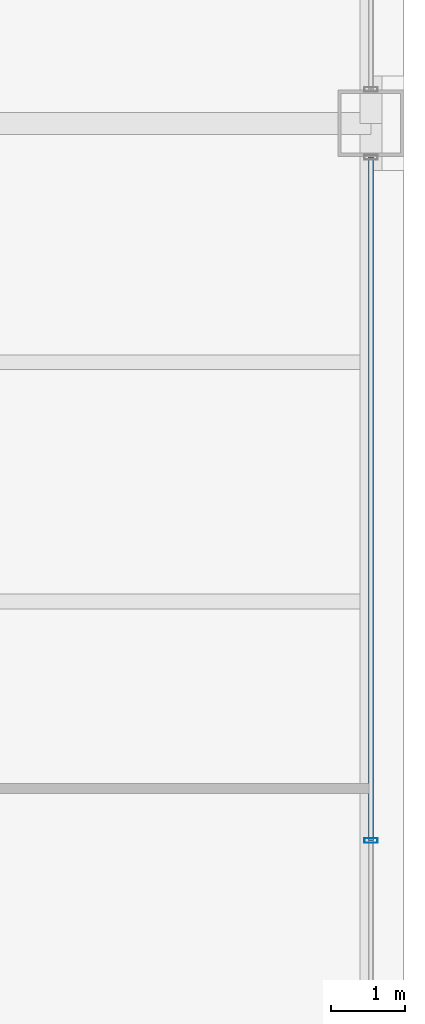
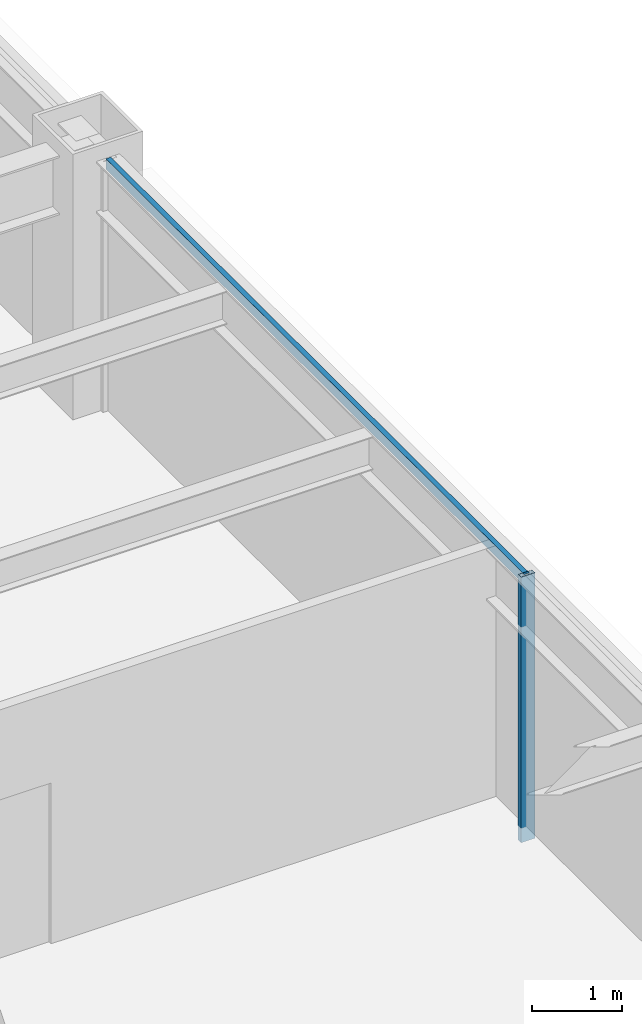
# One storey, part 14 of 29: 2 members, 1 element without a shape of its own.
"""IFC4 building model written with IfcOpenShell, lengths in metres."""

import ifcopenshell
import ifcopenshell.guid

model = None  # the IFC model being written
_history = None  # IfcOwnerHistory: only IFC2X3 demands one
_inside = {}  # id of a spatial element -> (the spatial element, [elements in it])
_under = {}  # id of a project, library or spatial element -> (it, [spatial elements below it])
_declared = {}  # id of a project -> (the project, [libraries it declares])
_typed = {}  # id of a type object -> (the type object, [elements of that type])
_made_of = {}  # id of a material, layer set ... -> (it, [elements and type objects made of it])


def new_model(schema):
    """Start an empty IFC model of exactly this schema.

    Asked for "IFC4X3", IfcOpenShell would pick the latest addendum, in which some entities
    have other attributes; the version numbers below select the first issue.
    IFC2X3 requires an IfcOwnerHistory on every rooted entity: one is made here for all.
    """
    global model, _history
    if schema == "IFC4X3":
        model = ifcopenshell.file(schema_version=(4, 3, 0, 0))
    else:
        model = ifcopenshell.file(schema=schema)
    _inside.clear()
    _under.clear()
    _declared.clear()
    _typed.clear()
    _made_of.clear()
    _history = None
    if model.schema == "IFC2X3":
        org = make("IfcOrganization", Name="unknown")
        user = make(
            "IfcPersonAndOrganization",
            ThePerson=make("IfcPerson", FamilyName="unknown"),
            TheOrganization=org,
        )
        app = make(
            "IfcApplication",
            ApplicationDeveloper=org,
            Version="unknown",
            ApplicationFullName="unknown",
            ApplicationIdentifier="unknown",
        )
        _history = make(
            "IfcOwnerHistory",
            OwningUser=user,
            OwningApplication=app,
            ChangeAction="ADDED",
            CreationDate=0,
        )
    return model


def make(cls, **values):
    """One entity of the class cls with the attributes given. An attribute that is None is left unset."""
    return model.create_entity(
        cls, **{name: value for name, value in values.items() if value is not None}
    )


def rooted(cls, **values):
    """An entity with a GlobalId (a new one), such as an element, a storey or a relation."""
    return make(cls, GlobalId=ifcopenshell.guid.new(), OwnerHistory=_history, **values)


def si_unit(unit_type, name, prefix=None):
    """IfcSIUnit, for example si_unit("LENGTHUNIT", "METRE", prefix="MILLI")."""
    return make("IfcSIUnit", UnitType=unit_type, Prefix=prefix, Name=name)


def assignment(units):
    """IfcUnitAssignment: the units of a project."""
    return None if units is None else make("IfcUnitAssignment", Units=units)


def point(xyz):
    """IfcCartesianPoint."""
    return None if xyz is None else make("IfcCartesianPoint", Coordinates=xyz)


def direction(xyz):
    """IfcDirection."""
    return None if xyz is None else make("IfcDirection", DirectionRatios=xyz)


def frame(location, z_axis=None, x_axis=None):
    """IfcAxis2Placement3D, a coordinate frame: its origin and axes. An axis left out is left unset."""
    return make(
        "IfcAxis2Placement3D",
        Location=point(location),
        Axis=direction(z_axis),
        RefDirection=direction(x_axis),
    )


def frame_2d(location, x_axis=None):
    """IfcAxis2Placement2D, a coordinate frame in the plane: its origin and x axis."""
    return make(
        "IfcAxis2Placement2D", Location=point(location), RefDirection=direction(x_axis)
    )


def origin():
    """The frame at (0, 0, 0) with its axes left unset."""
    return frame((0.0, 0.0, 0.0))


def origin_2d():
    """The frame at (0, 0) in the plane with its x axis left unset."""
    return frame_2d((0.0, 0.0))


def place(relative_to, where):
    """IfcLocalPlacement: puts the frame where relative to a parent placement (None: the world)."""
    return make(
        "IfcLocalPlacement", PlacementRelTo=relative_to, RelativePlacement=where
    )


def context(
    kind, dimensions, precision=None, world=None, true_north=None, identifier=None
):
    """IfcGeometricRepresentationContext, for example the 3D "Model" context."""
    return make(
        "IfcGeometricRepresentationContext",
        ContextIdentifier=identifier,
        ContextType=kind,
        CoordinateSpaceDimension=dimensions,
        Precision=precision,
        WorldCoordinateSystem=world,
        TrueNorth=true_north,
    )


def subcontext(parent, identifier, kind, view, scale=None):
    """IfcGeometricRepresentationSubContext, for example "Body" below "Model"."""
    return make(
        "IfcGeometricRepresentationSubContext",
        ContextIdentifier=identifier,
        ContextType=kind,
        ParentContext=parent,
        TargetScale=scale,
        TargetView=view,
    )


def project(units=None, contexts=None):
    """IfcProject with its units and contexts."""
    return rooted(
        "IfcProject",
        Name="project",
        RepresentationContexts=contexts,
        UnitsInContext=assignment(units),
    )


def spatial(cls, under=None, at=None, **own):
    """A site, building, storey or space (cls), placed at a placement, below another one or the project."""
    s = rooted(cls, ObjectPlacement=at, **own)
    if under is not None:
        _under.setdefault(under.id(), (under, []))[1].append(s)
    return s


def profile(cls, at=None, kind="AREA", **sizes):
    """A parametric profile (cls). Its sizes go by their IFC names, for example OverallWidth=200.0."""
    return make(cls, ProfileType=kind, Position=at, **sizes)


def hollow_rectangle(**sizes):
    """IfcRectangleHollowProfileDef."""
    return profile("IfcRectangleHollowProfileDef", **sizes)


def extrude(swept, where, along, depth):
    """IfcExtrudedAreaSolid: the profile swept, set in the frame where, extruded along a direction by depth."""
    return make(
        "IfcExtrudedAreaSolid",
        SweptArea=swept,
        Position=where,
        ExtrudedDirection=direction(along),
        Depth=depth,
    )


def shape(context_of_items, identifier, shape_type, items):
    """IfcShapeRepresentation: the items that make up one representation, for example the "Body"."""
    return make(
        "IfcShapeRepresentation",
        ContextOfItems=context_of_items,
        RepresentationIdentifier=identifier,
        RepresentationType=shape_type,
        Items=items,
    )


def material(Name=None, Category=None):
    """IfcMaterial."""
    return make("IfcMaterial", Name=Name, Category=Category)


def layer(
    of_material, thickness, ventilated=None, Name=None, Category=None, Priority=None
):
    """IfcMaterialLayer: one layer of a wall or slab, of a material (None: an air gap)."""
    return make(
        "IfcMaterialLayer",
        Material=of_material,
        LayerThickness=thickness,
        IsVentilated=ventilated,
        Name=Name,
        Category=Category,
        Priority=Priority,
    )


def layer_set(layers, Name=None):
    """IfcMaterialLayerSet."""
    return make("IfcMaterialLayerSet", MaterialLayers=layers, LayerSetName=Name)


def material_profile(
    of_material, cross_section, Name=None, Category=None, Priority=None
):
    """IfcMaterialProfile: a cross section and its material."""
    return make(
        "IfcMaterialProfile",
        Name=Name,
        Material=of_material,
        Profile=cross_section,
        Priority=Priority,
        Category=Category,
    )


def profile_set(profiles, Name=None, composite=None):
    """IfcMaterialProfileSet."""
    return make(
        "IfcMaterialProfileSet",
        Name=Name,
        MaterialProfiles=profiles,
        CompositeProfile=composite,
    )


def made_of(thing, what):
    """Note that an element or type object is made of a material, layer set ...; save() writes the relation."""
    if what is not None:
        _made_of.setdefault(what.id(), (what, []))[1].append(thing)
    return thing


def type_object(cls, material=None, **own):
    """A type object (cls), such as IfcWallType, which elements share."""
    return made_of(rooted(cls, **own), material)


def element(
    cls,
    number,
    at=None,
    inside=None,
    cuts=None,
    type_object=None,
    material=None,
    context=None,
    identifier="Body",
    shape_type=None,
    held_by="IfcProductDefinitionShape",
    body=None,
    shapes=None,
    **own,
):
    """One element of the class cls, such as IfcWall. Its Tag is "e" and its number.

    at: its placement. inside: the storey or other place that contains it. cuts: it is an
    opening in that element (IfcRelVoidsElement). A single representation is given by context,
    identifier, shape_type and body (its items); several are given by shapes. held_by: the class
    of the entity that holds the representations. save() writes the other relations.
    """
    e = rooted(cls, Tag="e%d" % number, ObjectPlacement=at, **own)
    if body is not None:
        shapes = [shape(context, identifier, shape_type, body)]
    if shapes is not None:
        e.Representation = make(held_by, Representations=shapes)
    if inside is not None:
        _inside.setdefault(inside.id(), (inside, []))[1].append(e)
    if cuts is not None:
        rooted(
            "IfcRelVoidsElement", RelatingBuildingElement=cuts, RelatedOpeningElement=e
        )
    if type_object is not None:
        _typed.setdefault(type_object.id(), (type_object, []))[1].append(e)
    return made_of(e, material)


def aggregate(whole, parts):
    """IfcRelAggregates: a whole, such as a stair, and the parts it consists of."""
    return rooted("IfcRelAggregates", RelatingObject=whole, RelatedObjects=parts)


def save(model, path):
    """Write the relations noted so far, then the file.

    IfcRelAggregates (storeys below a building ...), IfcRelContainedInSpatialStructure (elements
    in a storey), IfcRelDefinesByType, IfcRelAssociatesMaterial and IfcRelDeclares: one each for
    every whole, place, type object, material and project.
    """
    for whole, parts in _under.values():
        aggregate(whole, parts)
    for where, things in _inside.values():
        rooted(
            "IfcRelContainedInSpatialStructure",
            RelatedElements=things,
            RelatingStructure=where,
        )
    for kind, things in _typed.values():
        rooted("IfcRelDefinesByType", RelatedObjects=things, RelatingType=kind)
    for what, things in _made_of.values():
        rooted("IfcRelAssociatesMaterial", RelatedObjects=things, RelatingMaterial=what)
    for by, libraries in _declared.values():
        rooted("IfcRelDeclares", RelatingContext=by, RelatedDefinitions=libraries)
    model.write(path)


model = new_model("IFC4")

# Units and contexts
model_context = context("Model", 3, precision=1e-05, world=origin(), true_north=direction((0.0, 1.0)))
body_context = subcontext(model_context, "Body", "Model", "MODEL_VIEW")
ifc_project = project(units=[si_unit("LENGTHUNIT", "METRE"), si_unit("AREAUNIT", "SQUARE_METRE"), si_unit("VOLUMEUNIT", "CUBIC_METRE"), si_unit("PLANEANGLEUNIT", "RADIAN"), si_unit("MASSUNIT", "GRAM", prefix="KILO")], contexts=[model_context])

# Site, building, storey
site_placement = place(None, origin())
site = spatial("IfcSite", under=ifc_project, at=site_placement, CompositionType="ELEMENT")
building_placement = place(site_placement, origin())
building = spatial("IfcBuilding", under=site, at=building_placement, Name="Brelmoor Portico Tower", CompositionType="ELEMENT")
storey_placement = place(building_placement, frame((0.0, 0.0, 60.0)))
storey = spatial("IfcBuildingStorey", under=building, at=storey_placement, Name="L15", CompositionType="ELEMENT", Elevation=60.0)

# Curtain wall, members
ifc_material = material(Name="Anodised Aluminium Alloy 6063-T6", Category="aluminium")
ifc_layer = layer(ifc_material, 0.179931640625)
ifc_layer_set = layer_set([ifc_layer], Name="Anodised Aluminium Alloy 6063-T6")
curtain_wall_type = type_object("IfcCurtainWallType", Name="CW-TOWER-Z1-XB", PredefinedType="NOTDEFINED", material=ifc_layer_set)
curtain_wall_placement = place(storey_placement, origin())
curtain_wall = element("IfcCurtainWall", 1, at=curtain_wall_placement, inside=storey, type_object=curtain_wall_type, Name="L15 Curtain Wall CW-L15-04-2", PredefinedType="NOTDEFINED")
ifc_material_profile_1 = material_profile(ifc_material, hollow_rectangle(XDim=0.06494140625, YDim=0.179931640625, WallThickness=0.00390625, at=origin_2d()), Name="ALU MULLION 65x180")
ifc_profile_set_1 = profile_set([ifc_material_profile_1], Name="Anodised Aluminium Alloy 6063-T6")
member_type_1 = type_object("IfcMemberType", Name="MB-CW-MULL-180", PredefinedType="MULLION", material=ifc_profile_set_1)
member_1_placement = place(storey_placement, frame((24.550048828125, 0.0, -0.199951171875), z_axis=(0.0, 0.0, 1.0), x_axis=(0.0, 1.0, 0.0)))
member_1 = element("IfcMember", 2, at=member_1_placement, type_object=member_type_1, Name="CW-L15-04-2 Mullion 01", PredefinedType="MULLION", context=body_context, shape_type="SweptSolid", body=[
    extrude(hollow_rectangle(XDim=0.06494140625, YDim=0.179931640625, WallThickness=0.00390625, at=origin_2d()), origin(), (0.0, 0.0, 1.0), 3.599853515625),
])
ifc_material_profile_2 = material_profile(ifc_material, hollow_rectangle(XDim=0.06494140625, YDim=0.139892578125, WallThickness=0.00390625, at=origin_2d()), Name="ALU TRANSOM 65x140")
ifc_profile_set_2 = profile_set([ifc_material_profile_2], Name="Anodised Aluminium Alloy 6063-T6")
member_type_2 = type_object("IfcMemberType", Name="MB-CW-TRAN-140", PredefinedType="USERDEFINED", material=ifc_profile_set_2)
member_2_placement = place(storey_placement, frame((24.550048828125, 0.0, 3.330078125), z_axis=(0.0, 1.0, 0.0), x_axis=(-1.0, 0.0, 0.0)))
member_2 = element("IfcMember", 3, at=member_2_placement, type_object=member_type_2, Name="CW-L15-04-2 Transom 1-01", ObjectType="TRANSOM", PredefinedType="USERDEFINED", context=body_context, shape_type="SweptSolid", body=[
    extrude(hollow_rectangle(XDim=0.06494140625, YDim=0.139892578125, WallThickness=0.00390625, at=origin_2d()), origin(), (0.0, 0.0, 1.0), 9.2900390625),
])
aggregate(curtain_wall, [member_1, member_2])

save(model, "model.ifc")
